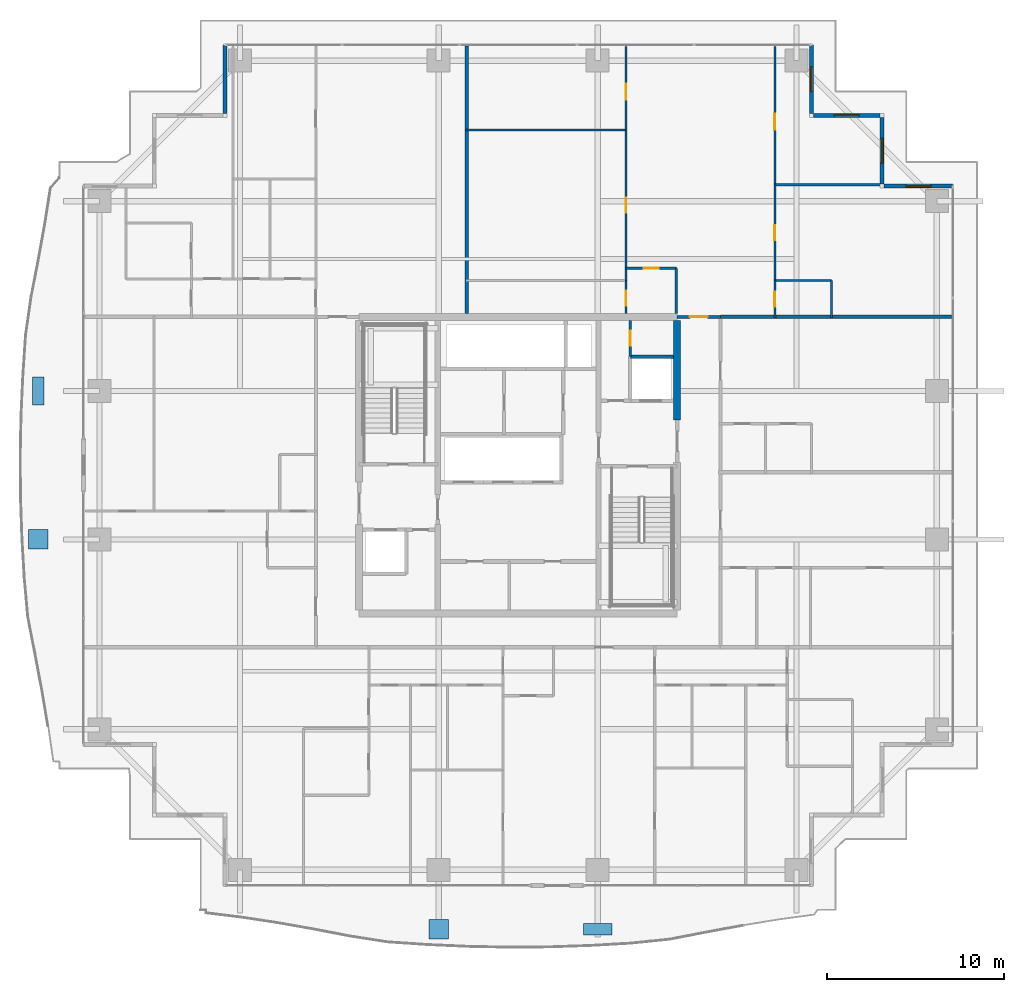
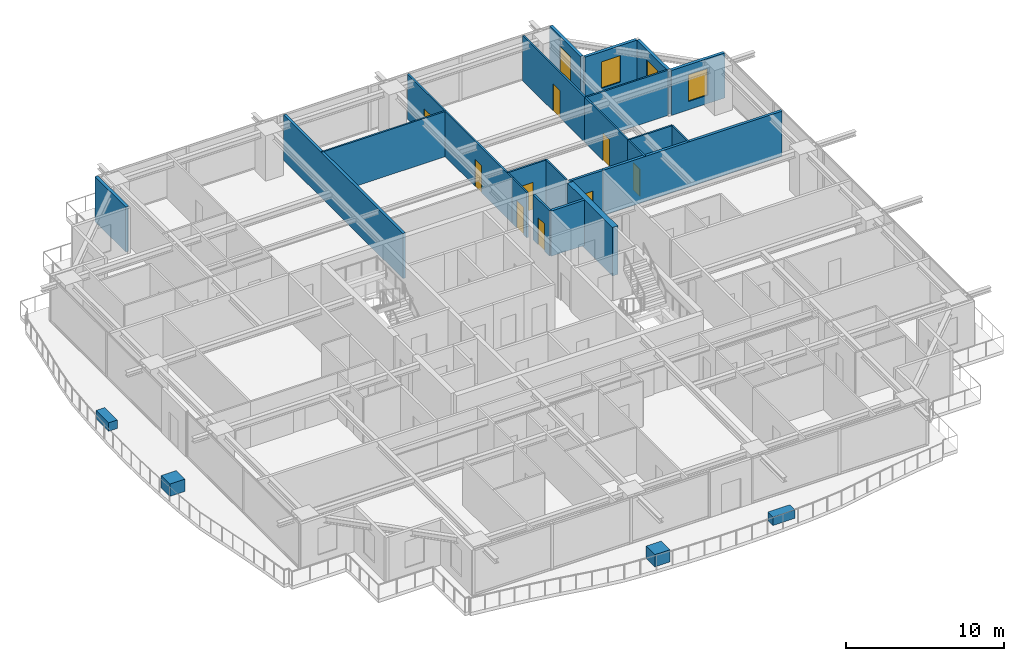
# One storey, part 28 of 34: 23 walls, 9 doors, 4 discrete accessories, 4 windows, 13 openings.
"""IFC4 building model written with IfcOpenShell, lengths in metres."""

from ifc_helpers import new_model, si_unit, direction, frame, frame_2d, origin, origin_2d, place, context, subcontext, project, spatial, rectangle, extrude, source, transform, mapped, material, layer, layer_set, type_object, element, fill, save


model = new_model("IFC4")

# Units and contexts
model_context = context("Model", 3, precision=1e-05, world=origin(), true_north=direction((0.0, 1.0)))
body_context = subcontext(model_context, "Body", "Model", "MODEL_VIEW")
ifc_project = project(units=[si_unit("LENGTHUNIT", "METRE"), si_unit("AREAUNIT", "SQUARE_METRE"), si_unit("VOLUMEUNIT", "CUBIC_METRE"), si_unit("PLANEANGLEUNIT", "RADIAN"), si_unit("MASSUNIT", "GRAM", prefix="KILO")], contexts=[model_context])

# Site, building, storey
site_placement = place(None, origin())
site = spatial("IfcSite", under=ifc_project, at=site_placement, CompositionType="ELEMENT")
building_placement = place(site_placement, origin())
building = spatial("IfcBuilding", under=site, at=building_placement, Name="Serunith Strait Residences", CompositionType="ELEMENT")
storey_placement = place(building_placement, frame((0.0, 0.0, 187.64990234375)))
storey = spatial("IfcBuildingStorey", under=building, at=storey_placement, Name="L47", CompositionType="ELEMENT", Elevation=187.64990234375)

# Wall, opening, window
ifc_material_1 = material(Name="Pale-Champagne Aluminium Insulated Panel", Category="aluminium")
ifc_layer_1 = layer(ifc_material_1, 0.219970703125, Name="Pale-Champagne Aluminium Insulated Panel")
ifc_layer_set_1 = layer_set([ifc_layer_1], Name="Pale-Champagne Aluminium Insulated Panel")
wall_type_1 = type_object("IfcWallType", Name="EW-ALUM-220", PredefinedType="ELEMENTEDWALL", material=ifc_layer_set_1)
wall_1_placement = place(storey_placement, frame((57.0, 41.0, 0.0), z_axis=(0.0, 0.0, 1.0), x_axis=(-1.0, 0.0, 0.0)))
wall_1 = element("IfcWall", 1, at=wall_1_placement, inside=storey, type_object=wall_type_1, Name="L47 Girih Serrated Corner Wall 07", PredefinedType="ELEMENTEDWALL", context=body_context, shape_type="SweptSolid", body=[
    extrude(rectangle(XDim=3.889892578125, YDim=0.219970703125, at=frame_2d((1.94482421875, 0.0))), origin(), (0.0, 0.0, 1.0), 3.47509765625),
])
opening_1_placement = place(wall_1_placement, frame((1.2451171875, 0.0, 0.64990234375)))
opening_1 = element("IfcOpeningElement", 2, at=opening_1_placement, cuts=wall_1, Name="Opening W-03", PredefinedType="OPENING", context=body_context, shape_type="SweptSolid", body=[
    extrude(rectangle(XDim=1.39990234375, YDim=2.050048828125, at=frame_2d((0.699951171875, 1.02490234375))), frame((0.0, 0.1201171875, 0.0), z_axis=(0.0, -1.0, 0.0), x_axis=(1.0, 0.0, 0.0)), (0.0, 0.0, 1.0), 0.239990234375),
])
ifc_material_2 = material(Name="Ceramic-Fritted Operable Aluminium Window Glass", Category="aluminium")
window_type = type_object("IfcWindowType", Name="WIN-C3", PartitioningType="SINGLE_PANEL", PredefinedType="WINDOW", material=ifc_material_2)
shared_shape_1 = source(origin(), body_context, "Body", "SweptSolid", [
    extrude(rectangle(XDim=1.39990234375, YDim=2.050048828125, at=frame_2d((0.699951171875, 1.02490234375))), frame((0.0, 0.030029296875, 0.0), z_axis=(0.0, -1.0, 0.0), x_axis=(1.0, 0.0, 0.0)), (0.0, 0.0, 1.0), 0.06005859375),
])
window_1_placement = place(opening_1_placement, origin())
window_1 = element("IfcWindow", 3, at=window_1_placement, inside=storey, type_object=window_type, Name="L47 Corner Operable Fritted Window 07", OverallHeight=2.050048828125, OverallWidth=1.39990234375, PartitioningType="SINGLE_PANEL", PredefinedType="WINDOW", context=body_context, shape_type="MappedRepresentation", body=[
    mapped(shared_shape_1, transform((0.0, 0.0, 0.0), scale=1.0)),
])
fill(opening_1, window_1)

wall_2_placement = place(storey_placement, frame((53.0, 41.110107421875, 0.0), z_axis=(0.0, 0.0, 1.0), x_axis=(0.0, 1.0, 0.0)))
wall_2 = element("IfcWall", 4, at=wall_2_placement, inside=storey, type_object=wall_type_1, Name="L47 Girih Serrated Corner Wall 08", PredefinedType="ELEMENTEDWALL", context=body_context, shape_type="SweptSolid", body=[
    extrude(rectangle(XDim=3.77978515625, YDim=0.219970703125, at=frame_2d((1.889892578125, 0.0))), origin(), (0.0, 0.0, 1.0), 3.47509765625),
])
opening_2_placement = place(wall_2_placement, frame((1.18994140625, 0.0, 0.64990234375)))
opening_2 = element("IfcOpeningElement", 5, at=opening_2_placement, cuts=wall_2, Name="Opening W-03", PredefinedType="OPENING", context=body_context, shape_type="SweptSolid", body=[
    extrude(rectangle(XDim=1.39990234375, YDim=2.050048828125, at=frame_2d((0.699951171875, 1.02490234375))), frame((0.0, 0.1201171875, 0.0), z_axis=(0.0, -1.0, 0.0), x_axis=(1.0, 0.0, 0.0)), (0.0, 0.0, 1.0), 0.239990234375),
])
window_2_placement = place(opening_2_placement, origin())
window_2 = element("IfcWindow", 6, at=window_2_placement, inside=storey, type_object=window_type, Name="L47 Corner Operable Fritted Window 08", OverallHeight=2.050048828125, OverallWidth=1.39990234375, PartitioningType="SINGLE_PANEL", PredefinedType="WINDOW", context=body_context, shape_type="MappedRepresentation", body=[
    mapped(shared_shape_1, transform((0.0, 0.0, 0.0), scale=1.0)),
])
fill(opening_2, window_2)

wall_3_placement = place(storey_placement, frame((52.889892578125, 45.0, 0.0), z_axis=(0.0, 0.0, 1.0), x_axis=(-1.0, 0.0, 0.0)))
wall_3 = element("IfcWall", 7, at=wall_3_placement, inside=storey, type_object=wall_type_1, Name="L47 Girih Serrated Corner Wall 09", PredefinedType="ELEMENTEDWALL", context=body_context, shape_type="SweptSolid", body=[
    extrude(rectangle(XDim=3.77978515625, YDim=0.219970703125, at=frame_2d((1.889892578125, 0.0))), origin(), (0.0, 0.0, 1.0), 3.47509765625),
])
opening_3_placement = place(wall_3_placement, frame((1.18994140625, 0.0, 0.64990234375)))
opening_3 = element("IfcOpeningElement", 8, at=opening_3_placement, cuts=wall_3, Name="Opening W-03", PredefinedType="OPENING", context=body_context, shape_type="SweptSolid", body=[
    extrude(rectangle(XDim=1.39990234375, YDim=2.050048828125, at=frame_2d((0.699951171875, 1.02490234375))), frame((0.0, 0.1201171875, 0.0), z_axis=(0.0, -1.0, 0.0), x_axis=(1.0, 0.0, 0.0)), (0.0, 0.0, 1.0), 0.239990234375),
])
window_3_placement = place(opening_3_placement, origin())
window_3 = element("IfcWindow", 9, at=window_3_placement, inside=storey, type_object=window_type, Name="L47 Corner Operable Fritted Window 09", OverallHeight=2.050048828125, OverallWidth=1.39990234375, PartitioningType="SINGLE_PANEL", PredefinedType="WINDOW", context=body_context, shape_type="MappedRepresentation", body=[
    mapped(shared_shape_1, transform((0.0, 0.0, 0.0), scale=1.0)),
])
fill(opening_3, window_3)

wall_4_placement = place(storey_placement, frame((49.0, 45.110107421875, 0.0), z_axis=(0.0, 0.0, 1.0), x_axis=(0.0, 1.0, 0.0)))
wall_4 = element("IfcWall", 10, at=wall_4_placement, inside=storey, type_object=wall_type_1, Name="L47 Girih Serrated Corner Wall 10", PredefinedType="ELEMENTEDWALL", context=body_context, shape_type="SweptSolid", body=[
    extrude(rectangle(XDim=3.889892578125, YDim=0.219970703125, at=frame_2d((1.94482421875, 0.0))), origin(), (0.0, 0.0, 1.0), 3.47509765625),
])
opening_4_placement = place(wall_4_placement, frame((1.2451171875, 0.0, 0.64990234375)))
opening_4 = element("IfcOpeningElement", 11, at=opening_4_placement, cuts=wall_4, Name="Opening W-03", PredefinedType="OPENING", context=body_context, shape_type="SweptSolid", body=[
    extrude(rectangle(XDim=1.39990234375, YDim=2.050048828125, at=frame_2d((0.699951171875, 1.02490234375))), frame((0.0, 0.1201171875, 0.0), z_axis=(0.0, -1.0, 0.0), x_axis=(1.0, 0.0, 0.0)), (0.0, 0.0, 1.0), 0.239990234375),
])
window_4_placement = place(opening_4_placement, origin())
window_4 = element("IfcWindow", 12, at=window_4_placement, inside=storey, type_object=window_type, Name="L47 Corner Operable Fritted Window 10", OverallHeight=2.050048828125, OverallWidth=1.39990234375, PartitioningType="SINGLE_PANEL", PredefinedType="WINDOW", context=body_context, shape_type="MappedRepresentation", body=[
    mapped(shared_shape_1, transform((0.0, 0.0, 0.0), scale=1.0)),
])
fill(opening_4, window_4)

# Wall
wall_5_placement = place(storey_placement, frame((15.800048828125, 49.0, 0.0), z_axis=(0.0, 0.0, 1.0), x_axis=(0.0, -1.0, 0.0)))
element("IfcWall", 13, at=wall_5_placement, inside=storey, type_object=wall_type_1, Name="L47 Girih Serrated Corner Wall 12", PredefinedType="ELEMENTEDWALL", context=body_context, shape_type="SweptSolid", body=[
    extrude(rectangle(XDim=3.889892578125, YDim=0.219970703125, at=frame_2d((1.94482421875, 0.0))), origin(), (0.0, 0.0, 1.0), 3.47509765625),
])

# Wall, opening, door
ifc_material_3 = material(Name="Fire-rated masonry service closet wall", Category="masonry")
ifc_layer_2 = layer(ifc_material_3, 0.14990234375, Name="Fire-rated masonry service closet wall")
ifc_layer_set_2 = layer_set([ifc_layer_2], Name="Fire-rated masonry service closet wall")
wall_type_2 = type_object("IfcWallType", Name="IW-BOH-150", PredefinedType="PARTITIONING", material=ifc_layer_set_2)
wall_6_placement = place(storey_placement, frame((38.75, 31.35205078125, 0.0), z_axis=(0.0, 0.0, 1.0), x_axis=(0.0, 1.0, 0.0)))
wall_6 = element("IfcWall", 14, at=wall_6_placement, inside=storey, type_object=wall_type_2, Name="L47 Partition Wall 012", PredefinedType="PARTITIONING", context=body_context, shape_type="SweptSolid", body=[
    extrude(rectangle(XDim=2.0478515625, YDim=0.14990234375, at=frame_2d((1.02392578125, 0.0))), origin(), (0.0, 0.0, 1.0), 3.489990234375),
])
opening_5_placement = place(wall_6_placement, frame((0.59912109375, 0.0, 0.0)))
opening_5 = element("IfcOpeningElement", 15, at=opening_5_placement, cuts=wall_6, Name="Opening FD-850", PredefinedType="OPENING", context=body_context, shape_type="SweptSolid", body=[
    extrude(rectangle(XDim=0.85009765625, YDim=2.10009765625, at=frame_2d((0.425048828125, 1.050048828125))), frame((0.0, 0.0849609375, 0.0), z_axis=(0.0, -1.0, 0.0), x_axis=(1.0, 0.0, 0.0)), (0.0, 0.0, 1.0), 0.169921875),
])
ifc_material_4 = material(Name="Powder-coated steel service closet door", Category="steel")
door_type_1 = type_object("IfcDoorType", Name="FD-BOH-850", OperationType="NOTDEFINED", PredefinedType="DOOR", material=ifc_material_4)
shared_shape_2 = source(origin(), body_context, "Body", "SweptSolid", [
    extrude(rectangle(XDim=0.85009765625, YDim=2.10009765625, at=frame_2d((0.425048828125, 1.050048828125))), frame((0.0, 0.02490234375, 0.0), z_axis=(0.0, -1.0, 0.0), x_axis=(1.0, 0.0, 0.0)), (0.0, 0.0, 1.0), 0.050048828125),
])
door_1_placement = place(opening_5_placement, origin())
door_1 = element("IfcDoor", 16, at=door_1_placement, inside=storey, type_object=door_type_1, Name="L47 ELV Data Closet Door", OperationType="SINGLE_SWING_RIGHT", OverallHeight=2.10009765625, OverallWidth=0.85009765625, PredefinedType="DOOR", context=body_context, shape_type="MappedRepresentation", body=[
    mapped(shared_shape_2, transform((0.0, 0.0, 0.0), scale=1.0)),
])
fill(opening_5, door_1)

ifc_material_5 = material(Name="Fire-rated acoustic gypsum partition")
ifc_layer_3 = layer(ifc_material_5, 0.179931640625, Name="Fire-rated acoustic gypsum partition")
ifc_layer_set_3 = layer_set([ifc_layer_3], Name="Fire-rated acoustic gypsum partition")
wall_type_3 = type_object("IfcWallType", Name="IW-CORR-180", PredefinedType="PARTITIONING", material=ifc_layer_set_3)
wall_7_placement = place(storey_placement, frame((41.402099609375, 33.60009765625, 0.0), z_axis=(0.0, 0.0, 1.0), x_axis=(1.0, 0.0, 0.0)))
wall_7 = element("IfcWall", 17, at=wall_7_placement, inside=storey, type_object=wall_type_3, Name="L47 Partition Wall 028", PredefinedType="PARTITIONING", context=body_context, shape_type="SweptSolid", body=[
    extrude(rectangle(XDim=2.44580078125, YDim=0.179931640625, at=frame_2d((1.222900390625, 0.0))), origin(), (0.0, 0.0, 1.0), 3.489990234375),
])
opening_6_placement = place(wall_7_placement, frame((0.722900390625, 0.0, 0.0)))
opening_6 = element("IfcOpeningElement", 18, at=opening_6_placement, cuts=wall_7, Name="Opening D-APT1000", PredefinedType="OPENING", context=body_context, shape_type="SweptSolid", body=[
    extrude(rectangle(XDim=1.0, YDim=2.14990234375, at=frame_2d((0.5, 1.074951171875))), frame((0.0, 0.10009765625, 0.0), z_axis=(0.0, -1.0, 0.0), x_axis=(1.0, 0.0, 0.0)), (0.0, 0.0, 1.0), 0.199951171875),
])
ifc_material_6 = material(Name="Solid timber engineered fire door", Category="wood")
door_type_2 = type_object("IfcDoorType", Name="ID-APT-1000", OperationType="NOTDEFINED", PredefinedType="DOOR", material=ifc_material_6)
shared_shape_3 = source(origin(), body_context, "Body", "SweptSolid", [
    extrude(rectangle(XDim=1.0, YDim=2.14990234375, at=frame_2d((0.5, 1.074951171875))), frame((0.0, 0.02490234375, 0.0), z_axis=(0.0, -1.0, 0.0), x_axis=(1.0, 0.0, 0.0)), (0.0, 0.0, 1.0), 0.050048828125),
])
door_2_placement = place(opening_6_placement, origin())
door_2 = element("IfcDoor", 19, at=door_2_placement, inside=storey, type_object=door_type_2, Name="L47 Unit 03 Entrance Door", OperationType="SINGLE_SWING_RIGHT", OverallHeight=2.14990234375, OverallWidth=1.0, PredefinedType="DOOR", context=body_context, shape_type="MappedRepresentation", body=[
    mapped(shared_shape_3, transform((0.0, 0.0, 0.0), scale=1.0)),
])
fill(opening_6, door_2)

ifc_material_7 = material(Name="Lightweight steel-stud gypsum partition", Category="steel")
ifc_layer_4 = layer(ifc_material_7, 0.1201171875, Name="Lightweight steel-stud gypsum partition")
ifc_layer_set_4 = layer_set([ifc_layer_4], Name="Lightweight steel-stud gypsum partition")
wall_type_4 = type_object("IfcWallType", Name="IW-PART-120", PredefinedType="PARTITIONING", material=ifc_layer_set_4)
wall_8_placement = place(storey_placement, frame((38.5, 36.35009765625, 0.0), z_axis=(0.0, 0.0, 1.0), x_axis=(1.0, 0.0, 0.0)))
wall_8 = element("IfcWall", 20, at=wall_8_placement, inside=storey, type_object=wall_type_4, Name="L47 Partition Wall 075", PredefinedType="PARTITIONING", context=body_context, shape_type="SweptSolid", body=[
    extrude(rectangle(XDim=2.85009765625, YDim=0.1201171875, at=frame_2d((1.425048828125, 0.0))), origin(), (0.0, 0.0, 1.0), 3.489990234375),
])
opening_7_placement = place(wall_8_placement, frame((1.0, 0.0, 0.0)))
opening_7 = element("IfcOpeningElement", 21, at=opening_7_placement, cuts=wall_8, Name="Opening D-RM850", PredefinedType="OPENING", context=body_context, shape_type="SweptSolid", body=[
    extrude(rectangle(XDim=0.85009765625, YDim=2.10009765625, at=frame_2d((0.425048828125, 1.050048828125))), frame((0.0, 0.070068359375, 0.0), z_axis=(0.0, -1.0, 0.0), x_axis=(1.0, 0.0, 0.0)), (0.0, 0.0, 1.0), 0.14013671875),
])
ifc_material_8 = material(Name="Engineered timber flush study and kitchen door", Category="wood")
door_type_3 = type_object("IfcDoorType", Name="ID-ROOM-850", OperationType="NOTDEFINED", PredefinedType="DOOR", material=ifc_material_8)
door_3_placement = place(opening_7_placement, origin())
door_3 = element("IfcDoor", 22, at=door_3_placement, inside=storey, type_object=door_type_3, Name="L47 Kitchen 4703 Door", OperationType="SINGLE_SWING_LEFT", OverallHeight=2.10009765625, OverallWidth=0.85009765625, PredefinedType="DOOR", context=body_context, shape_type="MappedRepresentation", body=[
    mapped(shared_shape_2, transform((0.0, 0.0, 0.0), scale=1.0)),
])
fill(opening_7, door_3)

# Wall
wall_9_placement = place(storey_placement, frame((41.35009765625, 36.35009765625, 0.0), z_axis=(0.0, 0.0, 1.0), x_axis=(0.0, -1.0, 0.0)))
element("IfcWall", 23, at=wall_9_placement, inside=storey, type_object=wall_type_4, Name="L47 Partition Wall 076", PredefinedType="PARTITIONING", context=body_context, shape_type="SweptSolid", body=[
    extrude(rectangle(XDim=2.550048828125, YDim=0.1201171875, at=frame_2d((1.27490234375, 0.0))), origin(), (0.0, 0.0, 1.0), 3.489990234375),
])

# Wall, opening, door
wall_10_placement = place(storey_placement, frame((38.5, 48.905029296875, 0.0), z_axis=(0.0, 0.0, 1.0), x_axis=(0.0, -1.0, 0.0)))
wall_10 = element("IfcWall", 24, at=wall_10_placement, inside=storey, type_object=wall_type_4, Name="L47 Partition Wall 077", PredefinedType="PARTITIONING", context=body_context, shape_type="SweptSolid", body=[
    extrude(rectangle(XDim=4.72509765625, YDim=0.1201171875, at=frame_2d((2.362548828125, 0.0))), origin(), (0.0, 0.0, 1.0), 3.489990234375),
])
opening_8_placement = place(wall_10_placement, frame((2.10400390625, 0.0, 0.0)))
opening_8 = element("IfcOpeningElement", 25, at=opening_8_placement, cuts=wall_10, Name="Opening D-RM900", PredefinedType="OPENING", context=body_context, shape_type="SweptSolid", body=[
    extrude(rectangle(XDim=0.89990234375, YDim=2.10009765625, at=frame_2d((0.449951171875, 1.050048828125))), frame((0.0, 0.070068359375, 0.0), z_axis=(0.0, -1.0, 0.0), x_axis=(1.0, 0.0, 0.0)), (0.0, 0.0, 1.0), 0.14013671875),
])
ifc_material_9 = material(Name="Engineered timber flush bedroom door", Category="wood")
door_type_4 = type_object("IfcDoorType", Name="ID-ROOM-900", OperationType="NOTDEFINED", PredefinedType="DOOR", material=ifc_material_9)
shared_shape_4 = source(origin(), body_context, "Body", "SweptSolid", [
    extrude(rectangle(XDim=0.89990234375, YDim=2.10009765625, at=frame_2d((0.449951171875, 1.050048828125))), frame((0.0, 0.02490234375, 0.0), z_axis=(0.0, -1.0, 0.0), x_axis=(1.0, 0.0, 0.0)), (0.0, 0.0, 1.0), 0.050048828125),
])
door_4_placement = place(opening_8_placement, origin())
door_4 = element("IfcDoor", 26, at=door_4_placement, inside=storey, type_object=door_type_4, Name="L47 Master Bedroom 1 4703 Door", OperationType="SINGLE_SWING_RIGHT", OverallHeight=2.10009765625, OverallWidth=0.89990234375, PredefinedType="DOOR", context=body_context, shape_type="MappedRepresentation", body=[
    mapped(shared_shape_4, transform((0.0, 0.0, 0.0), scale=1.0)),
])
fill(opening_8, door_4)

# Wall
wall_11_placement = place(storey_placement, frame((29.43994140625, 44.179931640625, 0.0), z_axis=(0.0, 0.0, 1.0), x_axis=(1.0, 0.0, 0.0)))
element("IfcWall", 27, at=wall_11_placement, inside=storey, type_object=wall_type_4, Name="L47 Partition Wall 078", PredefinedType="PARTITIONING", context=body_context, shape_type="SweptSolid", body=[
    extrude(rectangle(XDim=9.06005859375, YDim=0.1201171875, at=frame_2d((4.530029296875, 0.0))), origin(), (0.0, 0.0, 1.0), 3.489990234375),
])

# Wall, opening, door
wall_12_placement = place(storey_placement, frame((38.5, 44.177978515625, 0.0), z_axis=(0.0, 0.0, 1.0), x_axis=(0.0, -1.0, 0.0)))
wall_12 = element("IfcWall", 28, at=wall_12_placement, inside=storey, type_object=wall_type_4, Name="L47 Partition Wall 080", PredefinedType="PARTITIONING", context=body_context, shape_type="SweptSolid", body=[
    extrude(rectangle(XDim=8.528076171875, YDim=0.1201171875, at=frame_2d((4.26416015625, 0.0))), origin(), (0.0, 0.0, 1.0), 3.489990234375),
])
opening_9_placement = place(wall_12_placement, frame((3.839111328125, 0.0, 0.0)))
opening_9 = element("IfcOpeningElement", 29, at=opening_9_placement, cuts=wall_12, Name="Opening D-RM850", PredefinedType="OPENING", context=body_context, shape_type="SweptSolid", body=[
    extrude(rectangle(XDim=0.85009765625, YDim=2.10009765625, at=frame_2d((0.425048828125, 1.050048828125))), frame((0.0, 0.070068359375, 0.0), z_axis=(0.0, -1.0, 0.0), x_axis=(1.0, 0.0, 0.0)), (0.0, 0.0, 1.0), 0.14013671875),
])
door_5_placement = place(opening_9_placement, origin())
door_5 = element("IfcDoor", 30, at=door_5_placement, inside=storey, type_object=door_type_3, Name="L47 Walk-in Wardrobe 4703 Door", OperationType="SINGLE_SWING_LEFT", OverallHeight=2.10009765625, OverallWidth=0.85009765625, PredefinedType="DOOR", context=body_context, shape_type="MappedRepresentation", body=[
    mapped(shared_shape_2, transform((0.0, 0.0, 0.0), scale=1.0)),
])
fill(opening_9, door_5)

wall_13_placement = place(storey_placement, frame((38.5, 35.64794921875, 0.0), z_axis=(0.0, 0.0, 1.0), x_axis=(0.0, -1.0, 0.0)))
wall_13 = element("IfcWall", 31, at=wall_13_placement, inside=storey, type_object=wall_type_4, Name="L47 Partition Wall 081", PredefinedType="PARTITIONING", context=body_context, shape_type="SweptSolid", body=[
    extrude(rectangle(XDim=1.847900390625, YDim=0.1201171875, at=frame_2d((0.923828125, 0.0))), origin(), (0.0, 0.0, 1.0), 3.489990234375),
])
opening_10_placement = place(wall_13_placement, frame((0.569091796875, 0.0, 0.0)))
opening_10 = element("IfcOpeningElement", 32, at=opening_10_placement, cuts=wall_13, Name="Opening D-BTH850", PredefinedType="OPENING", context=body_context, shape_type="SweptSolid", body=[
    extrude(rectangle(XDim=0.85009765625, YDim=2.10009765625, at=frame_2d((0.425048828125, 1.050048828125))), frame((0.0, 0.070068359375, 0.0), z_axis=(0.0, -1.0, 0.0), x_axis=(1.0, 0.0, 0.0)), (0.0, 0.0, 1.0), 0.14013671875),
])
ifc_material_10 = material(Name="Moisture-resistant timber bathroom door", Category="wood")
door_type_5 = type_object("IfcDoorType", Name="ID-BATH-850", OperationType="NOTDEFINED", PredefinedType="DOOR", material=ifc_material_10)
door_6_placement = place(opening_10_placement, origin())
door_6 = element("IfcDoor", 33, at=door_6_placement, inside=storey, type_object=door_type_5, Name="L47 Bathroom 4703 Door", OperationType="SINGLE_SWING_RIGHT", OverallHeight=2.10009765625, OverallWidth=0.85009765625, PredefinedType="DOOR", context=body_context, shape_type="MappedRepresentation", body=[
    mapped(shared_shape_2, transform((0.0, 0.0, 0.0), scale=1.0)),
])
fill(opening_10, door_6)

wall_14_placement = place(storey_placement, frame((46.929931640625, 48.905029296875, 0.0), z_axis=(0.0, 0.0, 1.0), x_axis=(0.0, -1.0, 0.0)))
wall_14 = element("IfcWall", 34, at=wall_14_placement, inside=storey, type_object=wall_type_4, Name="L47 Partition Wall 082", PredefinedType="PARTITIONING", context=body_context, shape_type="SweptSolid", body=[
    extrude(rectangle(XDim=7.830078125, YDim=0.1201171875, at=frame_2d((3.9150390625, 0.0))), origin(), (0.0, 0.0, 1.0), 3.489990234375),
])
opening_11_placement = place(wall_14_placement, frame((3.81103515625, 0.0, 0.0)))
opening_11 = element("IfcOpeningElement", 35, at=opening_11_placement, cuts=wall_14, Name="Opening D-RM900", PredefinedType="OPENING", context=body_context, shape_type="SweptSolid", body=[
    extrude(rectangle(XDim=0.89990234375, YDim=2.10009765625, at=frame_2d((0.449951171875, 1.050048828125))), frame((0.0, 0.070068359375, 0.0), z_axis=(0.0, -1.0, 0.0), x_axis=(1.0, 0.0, 0.0)), (0.0, 0.0, 1.0), 0.14013671875),
])
door_7_placement = place(opening_11_placement, origin())
door_7 = element("IfcDoor", 36, at=door_7_placement, inside=storey, type_object=door_type_4, Name="L47 Bedroom 2 4703 Door", OperationType="SINGLE_SWING_LEFT", OverallHeight=2.10009765625, OverallWidth=0.89990234375, PredefinedType="DOOR", context=body_context, shape_type="MappedRepresentation", body=[
    mapped(shared_shape_4, transform((0.0, 0.0, 0.0), scale=1.0)),
])
fill(opening_11, door_7)

# Walls
wall_15_placement = place(storey_placement, frame((46.929931640625, 41.074951171875, 0.0), z_axis=(0.0, 0.0, 1.0), x_axis=(1.0, 0.0, 0.0)))
element("IfcWall", 37, at=wall_15_placement, inside=storey, type_object=wall_type_4, Name="L47 Partition Wall 083", PredefinedType="PARTITIONING", context=body_context, shape_type="SweptSolid", body=[
    extrude(rectangle(XDim=5.97509765625, YDim=0.1201171875, at=frame_2d((2.987548828125, 0.0))), origin(), (0.0, 0.0, 1.0), 3.489990234375),
])
wall_16_placement = place(storey_placement, frame((46.929931640625, 35.64990234375, 0.0), z_axis=(0.0, 0.0, 1.0), x_axis=(1.0, 0.0, 0.0)))
element("IfcWall", 38, at=wall_16_placement, inside=storey, type_object=wall_type_4, Name="L47 Partition Wall 084", PredefinedType="PARTITIONING", context=body_context, shape_type="SweptSolid", body=[
    extrude(rectangle(XDim=3.199951171875, YDim=0.1201171875, at=frame_2d((1.60009765625, 0.0))), origin(), (0.0, 0.0, 1.0), 3.489990234375),
])
wall_17_placement = place(storey_placement, frame((50.1298828125, 35.64990234375, 0.0), z_axis=(0.0, 0.0, 1.0), x_axis=(0.0, -1.0, 0.0)))
element("IfcWall", 39, at=wall_17_placement, inside=storey, type_object=wall_type_4, Name="L47 Partition Wall 085", PredefinedType="PARTITIONING", context=body_context, shape_type="SweptSolid", body=[
    extrude(rectangle(XDim=2.10986328125, YDim=0.1201171875, at=frame_2d((1.054931640625, 0.0))), origin(), (0.0, 0.0, 1.0), 3.489990234375),
])

# Wall, opening, door
wall_18_placement = place(storey_placement, frame((46.929931640625, 41.072998046875, 0.0), z_axis=(0.0, 0.0, 1.0), x_axis=(0.0, -1.0, 0.0)))
wall_18 = element("IfcWall", 40, at=wall_18_placement, inside=storey, type_object=wall_type_4, Name="L47 Partition Wall 086", PredefinedType="PARTITIONING", context=body_context, shape_type="SweptSolid", body=[
    extrude(rectangle(XDim=5.423095703125, YDim=0.1201171875, at=frame_2d((2.71142578125, 0.0))), origin(), (0.0, 0.0, 1.0), 3.489990234375),
])
opening_12_placement = place(wall_18_placement, frame((2.287109375, 0.0, 0.0)))
opening_12 = element("IfcOpeningElement", 41, at=opening_12_placement, cuts=wall_18, Name="Opening D-RM850", PredefinedType="OPENING", context=body_context, shape_type="SweptSolid", body=[
    extrude(rectangle(XDim=0.85009765625, YDim=2.10009765625, at=frame_2d((0.425048828125, 1.050048828125))), frame((0.0, 0.070068359375, 0.0), z_axis=(0.0, -1.0, 0.0), x_axis=(1.0, 0.0, 0.0)), (0.0, 0.0, 1.0), 0.14013671875),
])
door_8_placement = place(opening_12_placement, origin())
door_8 = element("IfcDoor", 42, at=door_8_placement, inside=storey, type_object=door_type_3, Name="L47 Walk-in Wardrobe 4703 Door", OperationType="SINGLE_SWING_RIGHT", OverallHeight=2.10009765625, OverallWidth=0.85009765625, PredefinedType="DOOR", context=body_context, shape_type="MappedRepresentation", body=[
    mapped(shared_shape_2, transform((0.0, 0.0, 0.0), scale=1.0)),
])
fill(opening_12, door_8)

wall_19_placement = place(storey_placement, frame((46.929931640625, 35.64794921875, 0.0), z_axis=(0.0, 0.0, 1.0), x_axis=(0.0, -1.0, 0.0)))
wall_19 = element("IfcWall", 43, at=wall_19_placement, inside=storey, type_object=wall_type_4, Name="L47 Partition Wall 087", PredefinedType="PARTITIONING", context=body_context, shape_type="SweptSolid", body=[
    extrude(rectangle(XDim=2.10791015625, YDim=0.1201171875, at=frame_2d((1.053955078125, 0.0))), origin(), (0.0, 0.0, 1.0), 3.489990234375),
])
opening_13_placement = place(wall_19_placement, frame((0.62890625, 0.0, 0.0)))
opening_13 = element("IfcOpeningElement", 44, at=opening_13_placement, cuts=wall_19, Name="Opening D-BTH850", PredefinedType="OPENING", context=body_context, shape_type="SweptSolid", body=[
    extrude(rectangle(XDim=0.85009765625, YDim=2.10009765625, at=frame_2d((0.425048828125, 1.050048828125))), frame((0.0, 0.070068359375, 0.0), z_axis=(0.0, -1.0, 0.0), x_axis=(1.0, 0.0, 0.0)), (0.0, 0.0, 1.0), 0.14013671875),
])
door_9_placement = place(opening_13_placement, origin())
door_9 = element("IfcDoor", 45, at=door_9_placement, inside=storey, type_object=door_type_5, Name="L47 Bathroom 4703 Door", OperationType="SINGLE_SWING_LEFT", OverallHeight=2.10009765625, OverallWidth=0.85009765625, PredefinedType="DOOR", context=body_context, shape_type="MappedRepresentation", body=[
    mapped(shared_shape_2, transform((0.0, 0.0, 0.0), scale=1.0)),
])
fill(opening_13, door_9)

# Walls
ifc_material_11 = material(Name="Twin-stud acoustic gypsum board partition")
ifc_layer_5 = layer(ifc_material_11, 0.199951171875, Name="Twin-stud acoustic gypsum board partition")
ifc_layer_set_5 = layer_set([ifc_layer_5], Name="Twin-stud acoustic gypsum board partition")
wall_type_5 = type_object("IfcWallType", Name="IW-PARTY-200", PredefinedType="PARTITIONING", material=ifc_layer_set_5)
wall_20_placement = place(storey_placement, frame((29.5, 33.800048828125, 0.0), z_axis=(0.0, 0.0, 1.0), x_axis=(0.0, 1.0, 0.0)))
element("IfcWall", 46, at=wall_20_placement, inside=storey, type_object=wall_type_5, Name="L47 Partition Wall 018", PredefinedType="PARTITIONING", context=body_context, shape_type="SweptSolid", body=[
    extrude(rectangle(XDim=15.117919921875, YDim=0.199951171875, at=frame_2d((7.55908203125, 0.0))), origin(), (0.0, 0.0, 1.0), 3.489990234375),
])
wall_21_placement = place(storey_placement, frame((43.85009765625, 33.60009765625, 0.0), z_axis=(0.0, 0.0, 1.0), x_axis=(1.0, 0.0, 0.0)))
element("IfcWall", 47, at=wall_21_placement, inside=storey, type_object=wall_type_5, Name="L47 Partition Wall 023", PredefinedType="PARTITIONING", context=body_context, shape_type="SweptSolid", body=[
    extrude(rectangle(XDim=13.06787109375, YDim=0.199951171875, at=frame_2d((6.533935546875, 0.0))), origin(), (0.0, 0.0, 1.0), 3.489990234375),
])
ifc_material_12 = material(Name="Autoclaved aerated concrete blockwork", Category="masonry")
ifc_layer_6 = layer(ifc_material_12, 0.199951171875, Name="Autoclaved aerated concrete blockwork")
ifc_layer_set_6 = layer_set([ifc_layer_6], Name="Autoclaved aerated concrete blockwork")
wall_type_6 = type_object("IfcWallType", Name="IW-SHAFT-200", PredefinedType="STANDARD", material=ifc_layer_set_6)
wall_22_placement = place(storey_placement, frame((38.75, 31.35009765625, 0.0), z_axis=(0.0, 0.0, 1.0), x_axis=(1.0, 0.0, 0.0)))
element("IfcWall", 48, at=wall_22_placement, inside=storey, type_object=wall_type_6, Name="L47 Partition Wall 005", PredefinedType="STANDARD", context=body_context, shape_type="SweptSolid", body=[
    extrude(rectangle(XDim=2.449951171875, YDim=0.199951171875, at=frame_2d((1.22509765625, 0.0))), origin(), (0.0, 0.0, 1.0), 3.489990234375),
])
ifc_material_13 = material(Name="Concrete C70/85", Category="concrete")
ifc_layer_7 = layer(ifc_material_13, 0.39990234375, Name="Concrete C70/85")
ifc_layer_set_7 = layer_set([ifc_layer_7], Name="Concrete C70/85")
wall_type_7 = type_object("IfcWallType", Name="SW-400-C70", PredefinedType="SHEAR", material=ifc_layer_set_7)
wall_23_placement = place(storey_placement, frame((41.39990234375, 27.75, -0.260009765625), z_axis=(0.0, 0.0, 1.0), x_axis=(0.0, 1.0, 0.0)))
element("IfcWall", 49, at=wall_23_placement, inside=storey, type_object=wall_type_7, Name="L47 Core East Shear Wall North Pier", PredefinedType="SHEAR", context=body_context, shape_type="SweptSolid", body=[
    extrude(rectangle(XDim=5.64990234375, YDim=0.39990234375, at=frame_2d((2.824951171875, 0.0))), origin(), (0.0, 0.0, 1.0), 3.748046875),
])

# Discrete accessories
ifc_material_14 = material(Name="GFRC Root-Anchored Structural Planter")
discrete_accessory_type_1 = type_object("IfcDiscreteAccessoryType", Name="ACC-PLANTER-TREE", PredefinedType="USERDEFINED", material=ifc_material_14)
shared_shape_5 = source(origin(), body_context, "Body", "SweptSolid", [
    extrude(rectangle(XDim=1.10009765625, YDim=1.10009765625, at=origin_2d()), origin(), (0.0, 0.0, 1.0), 0.949951171875),
])
for number, where, z_axis, x_axis, name in (
    (50, (27.89990234375, -1.0712890625, -0.0498046875), (0.0, 0.0, 1.0), (1.0, 0.0, 0.0), "L47 Vertical-Forest Tree Planter 02"),
    (51, (5.223388671875, 21.0, -0.0498046875), (0.0, 0.0, 1.0), (0.0, -1.0, 0.0), "L47 Vertical-Forest Tree Planter 14"),
):
    element("IfcDiscreteAccessory", number, at=place(storey_placement, frame(where, z_axis=z_axis, x_axis=x_axis)), inside=storey, type_object=discrete_accessory_type_1, Name=name, ObjectType="PLANTER", PredefinedType="USERDEFINED", context=body_context, shape_type="MappedRepresentation", body=[
        mapped(shared_shape_5, transform((0.0, 0.0, 0.0), scale=1.0)),
    ])
ifc_material_15 = material(Name="GFRC Irrigated Shrub Trough Planter")
discrete_accessory_type_2 = type_object("IfcDiscreteAccessoryType", Name="ACC-PLANTER-SHRUB", PredefinedType="USERDEFINED", material=ifc_material_15)
shared_shape_6 = source(origin(), body_context, "Body", "SweptSolid", [
    extrude(rectangle(XDim=1.60009765625, YDim=0.64990234375, at=origin_2d()), origin(), (0.0, 0.0, 1.0), 0.64990234375),
])
for number, where, z_axis, x_axis, name in (
    (52, (36.89990234375, -1.071044921875, -0.0498046875), (0.0, 0.0, 1.0), (1.0, 0.0, 0.0), "L47 Vertical-Forest Shrub Planter 03"),
    (53, (5.22998046875, 29.39990234375, -0.0498046875), (0.0, 0.0, 1.0), (0.0, -1.0, 0.0), "L47 Vertical-Forest Shrub Planter 15"),
):
    element("IfcDiscreteAccessory", number, at=place(storey_placement, frame(where, z_axis=z_axis, x_axis=x_axis)), inside=storey, type_object=discrete_accessory_type_2, Name=name, ObjectType="PLANTER", PredefinedType="USERDEFINED", context=body_context, shape_type="MappedRepresentation", body=[
        mapped(shared_shape_6, transform((0.0, 0.0, 0.0), scale=1.0)),
    ])

save(model, "model.ifc")
